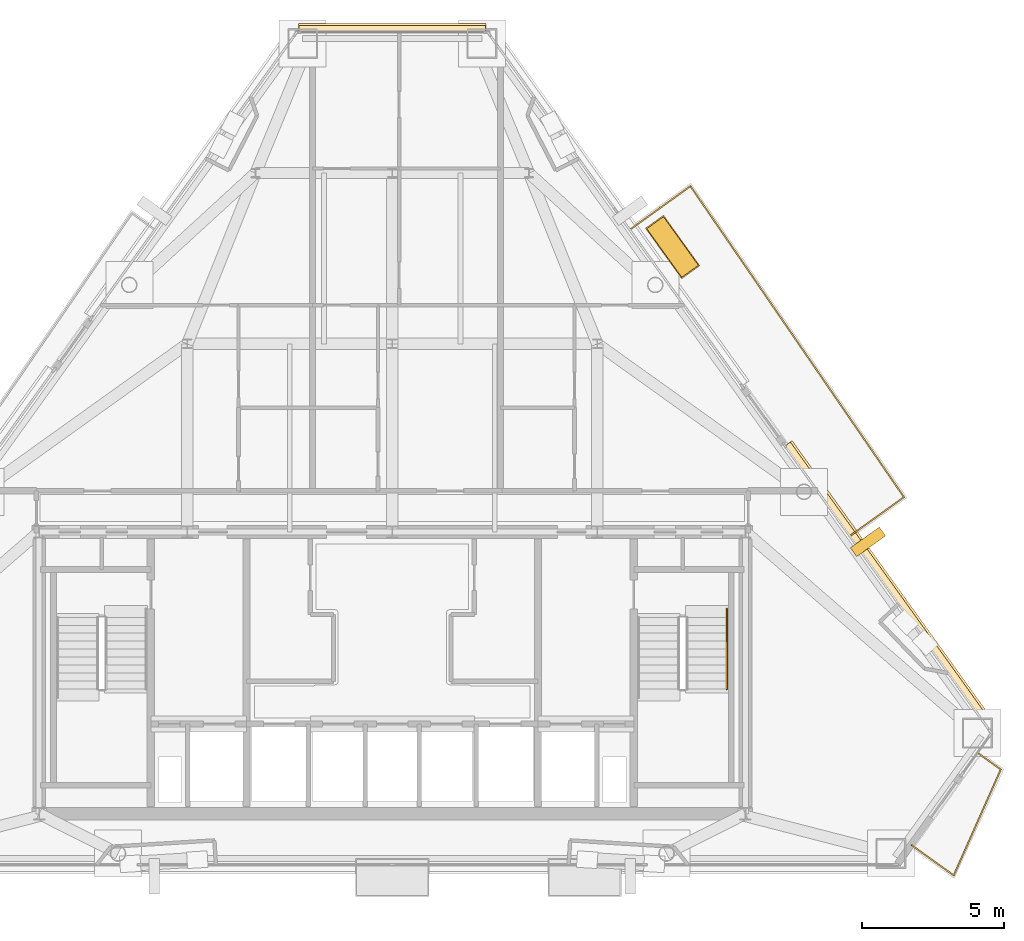
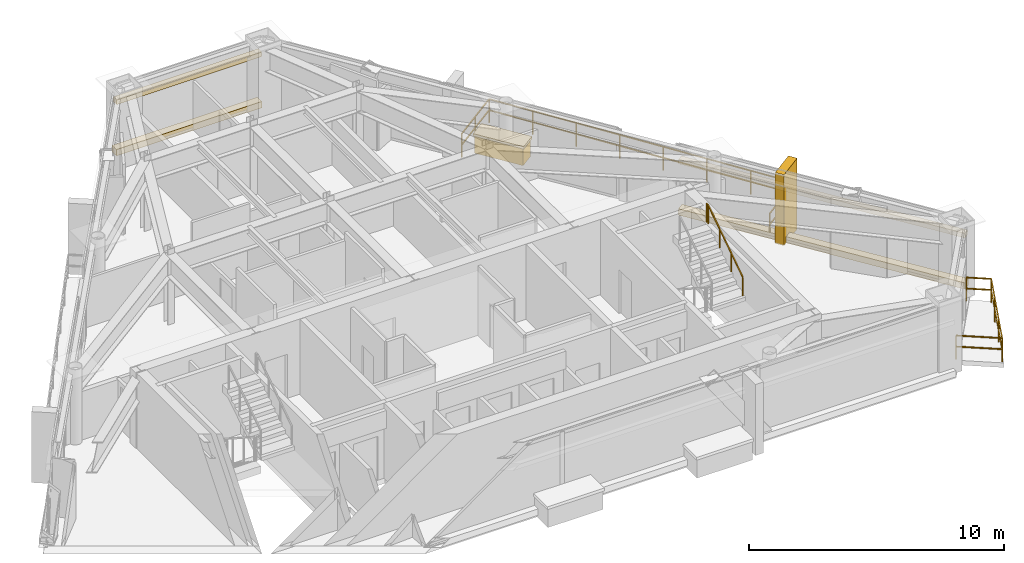
# One storey, part 11 of 11: 7 coverings, 3 railings.
"""IFC4 building model written with IfcOpenShell, lengths in metres."""

from ifc_helpers import new_model, si_unit, direction, frame, origin, origin_2d, place, context, subcontext, project, spatial, rectangle, extrude, material, layer, layer_set, type_object, element, save


model = new_model("IFC4")

# Units and contexts
model_context = context("Model", 3, precision=1e-05, world=origin(), true_north=direction((0.0, 1.0)))
body_context = subcontext(model_context, "Body", "Model", "MODEL_VIEW")
ifc_project = project(units=[si_unit("LENGTHUNIT", "METRE"), si_unit("AREAUNIT", "SQUARE_METRE"), si_unit("VOLUMEUNIT", "CUBIC_METRE"), si_unit("PLANEANGLEUNIT", "RADIAN"), si_unit("MASSUNIT", "GRAM", prefix="KILO")], contexts=[model_context])

# Site, building, storey
site_placement = place(None, origin())
site = spatial("IfcSite", under=ifc_project, at=site_placement, CompositionType="ELEMENT")
building_placement = place(site_placement, origin())
building = spatial("IfcBuilding", under=site, at=building_placement, Name="Talgorran Terracotta Tower", CompositionType="ELEMENT")
storey_placement = place(building_placement, frame((0.0, 0.0, 214.5)))
storey = spatial("IfcBuildingStorey", under=building, at=storey_placement, Name="L56", CompositionType="ELEMENT", Elevation=214.5)

# Coverings
ifc_material_1 = material(Name="Kiln-Fired Terracotta Ochre Ceramic", Category="masonry")
ifc_layer_1 = layer(ifc_material_1, 0.179931640625, Name="COV_BAGUETTE_TERRACOTTA_SCREEN")
ifc_layer_set_1 = layer_set([ifc_layer_1], Name="Kiln-Fired Terracotta Ochre Ceramic")
covering_type_1 = type_object("IfcCoveringType", Name="COV_BAGUETTE_TERRACOTTA_SCREEN", PredefinedType="CLADDING", material=ifc_layer_set_1)
covering_1_placement = place(storey_placement, frame((17.466552734375, -6.1240234375, 2.41015625), z_axis=(0.0, 0.0, 1.0), x_axis=(-0.583555384799, 0.812073342053, 0.0)))
element("IfcCovering", 1, at=covering_1_placement, inside=storey, type_object=covering_type_1, Name="L56 Terracotta Baguette Solar Screen Assembly F40", PredefinedType="CLADDING", context=body_context, shape_type="SweptSolid", body=[
    extrude(rectangle(XDim=12.30859375, YDim=0.260009765625, at=origin_2d()), origin(), (0.0, 0.0, 1.0), 0.219970703125),
])
covering_2_placement = place(storey_placement, frame((0.0, 13.44970703125, 2.41015625), z_axis=(0.0, 0.0, 1.0), x_axis=(-1.0, 0.0, 0.0)))
element("IfcCovering", 2, at=covering_2_placement, inside=storey, type_object=covering_type_1, Name="L56 Terracotta Baguette Solar Screen Assembly F4", PredefinedType="CLADDING", context=body_context, shape_type="SweptSolid", body=[
    extrude(rectangle(XDim=6.5595703125, YDim=0.260009765625, at=origin_2d()), origin(), (0.0, 0.0, 1.0), 0.219970703125),
])
ifc_material_2 = material(Name="Honed Limestone and Terracotta Planter", Category="masonry")
ifc_layer_2 = layer(ifc_material_2, 0.1201171875, Name="COV_PLANTER_BOX")
ifc_layer_set_2 = layer_set([ifc_layer_2], Name="Honed Limestone and Terracotta Planter")
covering_type_2 = type_object("IfcCoveringType", Name="COV_PLANTER_BOX", PredefinedType="CLADDING", material=ifc_layer_set_2)
covering_3_placement = place(storey_placement, frame((9.84423828125, 5.802734375, -0.02001953125), z_axis=(0.0, 0.0, 1.0), x_axis=(-0.583555384799, 0.812073342053, 0.0)))
element("IfcCovering", 3, at=covering_3_placement, inside=storey, type_object=covering_type_2, Name="L56 Staggered Balcony Planter Box BAL-NE", PredefinedType="CLADDING", context=body_context, shape_type="SweptSolid", body=[
    extrude(rectangle(XDim=2.10009765625, YDim=0.719970703125, at=origin_2d()), origin(), (0.0, 0.0, 1.0), 0.860107421875),
])
ifc_material_3 = material(Name="Kiln-Fired Terracotta Planter Rim", Category="masonry")
ifc_layer_3 = layer(ifc_material_3, 0.10009765625, Name="COV_PLANTER_RIM")
ifc_layer_set_3 = layer_set([ifc_layer_3], Name="Kiln-Fired Terracotta Planter Rim")
covering_type_3 = type_object("IfcCoveringType", Name="COV_PLANTER_RIM", PredefinedType="CLADDING", material=ifc_layer_set_3)
covering_4_placement = place(storey_placement, frame((9.84423828125, 5.802734375, 0.800048828125), z_axis=(0.0, 0.0, 1.0), x_axis=(-0.583555384799, 0.812073342053, 0.0)))
element("IfcCovering", 4, at=covering_4_placement, inside=storey, type_object=covering_type_3, Name="L56 Balcony Planter Terracotta Rim BAL-NE", PredefinedType="CLADDING", context=body_context, shape_type="SweptSolid", body=[
    extrude(rectangle(XDim=2.179931640625, YDim=0.780029296875, at=origin_2d()), origin(), (0.0, 0.0, 1.0), 0.1201171875),
])
ifc_material_4 = material(Name="Honed Limestone Cladding", Category="masonry")
ifc_layer_4 = layer(ifc_material_4, 0.094970703125, Name="COV_PORTAL_LIME")
ifc_layer_set_4 = layer_set([ifc_layer_4], Name="Honed Limestone Cladding")
covering_type_4 = type_object("IfcCoveringType", Name="COV_PORTAL_LIME", PredefinedType="CLADDING", material=ifc_layer_set_4)
covering_5_placement = place(storey_placement, frame((17.4990234375, -6.100830078125, -0.0400390625), z_axis=(0.0, 0.0, 1.0), x_axis=(-0.583555384799, 0.812073342053, 0.0)))
element("IfcCovering", 5, at=covering_5_placement, inside=storey, type_object=covering_type_4, Name="L56 Striped Postmodern Portal Cladding Band F40", PredefinedType="CLADDING", context=body_context, shape_type="SweptSolid", body=[
    extrude(rectangle(XDim=12.32861328125, YDim=0.340087890625, at=origin_2d()), origin(), (0.0, 0.0, 1.0), 0.300048828125),
])
covering_6_placement = place(storey_placement, frame((0.0, 13.489501953125, -0.0400390625), z_axis=(0.0, 0.0, 1.0), x_axis=(-1.0, 0.0, 0.0)))
element("IfcCovering", 6, at=covering_6_placement, inside=storey, type_object=covering_type_4, Name="L56 Striped Postmodern Portal Cladding Band F4", PredefinedType="CLADDING", context=body_context, shape_type="SweptSolid", body=[
    extrude(rectangle(XDim=6.57958984375, YDim=0.340087890625, at=origin_2d()), origin(), (0.0, 0.0, 1.0), 0.300048828125),
])
ifc_material_5 = material(Name="Kiln-Fired Terracotta Cladding", Category="masonry")
ifc_layer_5 = layer(ifc_material_5, 0.090087890625, Name="COV_PORTAL_TERRA")
ifc_layer_set_5 = layer_set([ifc_layer_5], Name="Kiln-Fired Terracotta Cladding")
covering_type_5 = type_object("IfcCoveringType", Name="COV_PORTAL_TERRA", PredefinedType="CLADDING", material=ifc_layer_set_5)
covering_7_placement = place(storey_placement, frame((16.705078125, -4.55029296875, -0.050048828125), z_axis=(0.0, 0.0, 1.0), x_axis=(-0.583555384799, 0.812073342053, 0.0)))
element("IfcCovering", 7, at=covering_7_placement, inside=storey, type_object=covering_type_5, Name="L56 Terracotta Striped Portal Fin F3-1", PredefinedType="CLADDING", context=body_context, shape_type="SweptSolid", body=[
    extrude(rectangle(XDim=0.3798828125, YDim=1.25, at=origin_2d()), origin(), (0.0, 0.0, 1.0), 3.39501953125),
])

# Railings
ifc_material_6 = material(Name="Laminated Glass and Stainless Steel 316", Category="steel")
railing_type_1 = type_object("IfcRailingType", Name="RL_BALCONY_1150", PredefinedType="BALUSTRADE", material=ifc_material_6)
railing_1_placement = place(storey_placement, frame((16.0830078125, -4.3359375, 0.0)))
element("IfcRailing", 8, at=railing_1_placement, inside=storey, type_object=railing_type_1, Name="RL-L56-BAL-BAL-NE", PredefinedType="BALUSTRADE", context=body_context, shape_type="SweptSolid", body=[
    extrude(rectangle(XDim=0.048095703125, YDim=0.048095703125, at=origin_2d()), frame((0.0, 0.0, 1.1259765625), z_axis=(0.812082312273, 0.583542901673, 0.0), x_axis=(-0.583542901673, 0.812082312273, 0.0)), (0.0, 0.0, 1.0), 2.322509765625),
    extrude(rectangle(XDim=0.048095703125, YDim=0.048095703125, at=origin_2d()), frame((0.0, 0.0, 0.597900390625), z_axis=(0.812082312273, 0.583542901673, 0.0), x_axis=(-0.583542901673, 0.812082312273, 0.0)), (0.0, 0.0, 1.0), 2.322509765625),
    extrude(rectangle(XDim=0.048095703125, YDim=0.048095703125, at=origin_2d()), frame((1.885986328125, 1.355224609375, 1.1259765625), z_axis=(-0.56606725907, 0.824359059033, 0.0), x_axis=(-0.824359059033, -0.56606725907, 0.0)), (0.0, 0.0, 1.0), 13.2470703125),
    extrude(rectangle(XDim=0.048095703125, YDim=0.048095703125, at=origin_2d()), frame((1.885986328125, 1.355224609375, 0.597900390625), z_axis=(-0.56606725907, 0.824359059033, 0.0), x_axis=(-0.824359059033, -0.56606725907, 0.0)), (0.0, 0.0, 1.0), 13.2470703125),
    extrude(rectangle(XDim=0.048095703125, YDim=0.048095703125, at=origin_2d()), frame((-5.61279296875, 12.275634765625, 1.1259765625), z_axis=(-0.812045901226, -0.583593569448, 0.0), x_axis=(0.583593569448, -0.812045901226, 0.0)), (0.0, 0.0, 1.0), 2.60546875),
    extrude(rectangle(XDim=0.048095703125, YDim=0.048095703125, at=origin_2d()), frame((-5.61279296875, 12.275634765625, 0.597900390625), z_axis=(-0.812045901226, -0.583593569448, 0.0), x_axis=(0.583593569448, -0.812045901226, 0.0)), (0.0, 0.0, 1.0), 2.60546875),
    extrude(rectangle(XDim=0.0419921875, YDim=0.0419921875, at=origin_2d()), origin(), (0.0, 0.0, 1.0), 1.101806640625),
    extrude(rectangle(XDim=0.0419921875, YDim=0.0419921875, at=origin_2d()), frame((0.94287109375, 0.677734375, 0.0)), (0.0, 0.0, 1.0), 1.101806640625),
    extrude(rectangle(XDim=0.0419921875, YDim=0.0419921875, at=origin_2d()), frame((1.885986328125, 1.355224609375, 0.0)), (0.0, 0.0, 1.0), 1.101806640625),
    extrude(rectangle(XDim=0.0419921875, YDim=0.0419921875, at=origin_2d()), frame((0.814697265625, 2.915283203125, 0.0)), (0.0, 0.0, 1.0), 1.101806640625),
    extrude(rectangle(XDim=0.0419921875, YDim=0.0419921875, at=origin_2d()), frame((-0.256591796875, 4.475341796875, 0.0)), (0.0, 0.0, 1.0), 1.101806640625),
    extrude(rectangle(XDim=0.0419921875, YDim=0.0419921875, at=origin_2d()), frame((-1.327880859375, 6.035400390625, 0.0)), (0.0, 0.0, 1.0), 1.101806640625),
    extrude(rectangle(XDim=0.0419921875, YDim=0.0419921875, at=origin_2d()), frame((-2.39892578125, 7.595458984375, 0.0)), (0.0, 0.0, 1.0), 1.101806640625),
    extrude(rectangle(XDim=0.0419921875, YDim=0.0419921875, at=origin_2d()), frame((-3.47021484375, 9.155517578125, 0.0)), (0.0, 0.0, 1.0), 1.101806640625),
    extrude(rectangle(XDim=0.0419921875, YDim=0.0419921875, at=origin_2d()), frame((-4.54150390625, 10.715576171875, 0.0)), (0.0, 0.0, 1.0), 1.101806640625),
    extrude(rectangle(XDim=0.0419921875, YDim=0.0419921875, at=origin_2d()), frame((-5.61279296875, 12.275634765625, 0.0)), (0.0, 0.0, 1.0), 1.101806640625),
    extrude(rectangle(XDim=0.0419921875, YDim=0.0419921875, at=origin_2d()), frame((-6.670654296875, 11.515380859375, 0.0)), (0.0, 0.0, 1.0), 1.101806640625),
    extrude(rectangle(XDim=0.0419921875, YDim=0.0419921875, at=origin_2d()), frame((-7.728515625, 10.755126953125, 0.0)), (0.0, 0.0, 1.0), 1.101806640625),
])
railing_2_placement = place(storey_placement, frame((18.239013671875, -15.203125, 0.0)))
element("IfcRailing", 9, at=railing_2_placement, inside=storey, type_object=railing_type_1, Name="RL-L56-BAL-BAL-SE", PredefinedType="BALUSTRADE", context=body_context, shape_type="SweptSolid", body=[
    extrude(rectangle(XDim=0.048095703125, YDim=0.048095703125, at=origin_2d()), frame((0.0, 0.0, 1.1259765625), z_axis=(0.812033270125, -0.583611144694, 0.0), x_axis=(0.583611144694, 0.812033270125, 0.0)), (0.0, 0.0, 1.0), 1.818115234375),
    extrude(rectangle(XDim=0.048095703125, YDim=0.048095703125, at=origin_2d()), frame((0.0, 0.0, 0.597900390625), z_axis=(0.812033270125, -0.583611144694, 0.0), x_axis=(0.583611144694, 0.812033270125, 0.0)), (0.0, 0.0, 1.0), 1.818115234375),
    extrude(rectangle(XDim=0.048095703125, YDim=0.048095703125, at=origin_2d()), frame((1.476318359375, -1.06103515625, 1.1259765625), z_axis=(0.406527974199, 0.91363833446, 0.0), x_axis=(-0.91363833446, 0.406527974199, 0.0)), (0.0, 0.0, 1.0), 4.070556640625),
    extrude(rectangle(XDim=0.048095703125, YDim=0.048095703125, at=origin_2d()), frame((1.476318359375, -1.06103515625, 0.597900390625), z_axis=(0.406527974199, 0.91363833446, 0.0), x_axis=(-0.91363833446, 0.406527974199, 0.0)), (0.0, 0.0, 1.0), 4.070556640625),
    extrude(rectangle(XDim=0.048095703125, YDim=0.048095703125, at=origin_2d()), frame((3.131103515625, 2.657958984375, 1.1259765625), z_axis=(-0.812150249721, 0.58344834551, 0.0), x_axis=(-0.58344834551, -0.812150249721, 0.0)), (0.0, 0.0, 1.0), 0.99169921875),
    extrude(rectangle(XDim=0.048095703125, YDim=0.048095703125, at=origin_2d()), frame((3.131103515625, 2.657958984375, 0.597900390625), z_axis=(-0.812150249721, 0.58344834551, 0.0), x_axis=(-0.58344834551, -0.812150249721, 0.0)), (0.0, 0.0, 1.0), 0.99169921875),
    extrude(rectangle(XDim=0.0419921875, YDim=0.0419921875, at=origin_2d()), origin(), (0.0, 0.0, 1.0), 1.101806640625),
    extrude(rectangle(XDim=0.0419921875, YDim=0.0419921875, at=origin_2d()), frame((1.476318359375, -1.06103515625, 0.0)), (0.0, 0.0, 1.0), 1.101806640625),
    extrude(rectangle(XDim=0.0419921875, YDim=0.0419921875, at=origin_2d()), frame((2.02783203125, 0.1787109375, 0.0)), (0.0, 0.0, 1.0), 1.101806640625),
    extrude(rectangle(XDim=0.0419921875, YDim=0.0419921875, at=origin_2d()), frame((2.57958984375, 1.418212890625, 0.0)), (0.0, 0.0, 1.0), 1.101806640625),
    extrude(rectangle(XDim=0.0419921875, YDim=0.0419921875, at=origin_2d()), frame((3.131103515625, 2.657958984375, 0.0)), (0.0, 0.0, 1.0), 1.101806640625),
    extrude(rectangle(XDim=0.0419921875, YDim=0.0419921875, at=origin_2d()), frame((2.32568359375, 3.236572265625, 0.0)), (0.0, 0.0, 1.0), 1.101806640625),
])
ifc_material_7 = material(Name="Steel S355 (300PLUS)", Category="steel")
railing_type_2 = type_object("IfcRailingType", Name="RL_HANDRAIL_920", PredefinedType="HANDRAIL", material=ifc_material_7)
railing_3_placement = place(storey_placement, frame((11.75, -9.719970703125, 1.97998046875)))
element("IfcRailing", 10, at=railing_3_placement, inside=storey, type_object=railing_type_2, Name="L56 ST-02 stair handrail 2", PredefinedType="HANDRAIL", context=body_context, shape_type="SweptSolid", body=[
    extrude(rectangle(XDim=0.048095703125, YDim=0.048095703125, at=origin_2d()), frame((0.0, 0.0, 0.89599609375), z_axis=(0.0, 0.832038719335, 0.554717558338), x_axis=(-1.0, 0.0, 0.0)), (0.0, 0.0, 1.0), 3.244873046875),
    extrude(rectangle(XDim=0.048095703125, YDim=0.048095703125, at=origin_2d()), frame((0.0, 2.699951171875, 2.69580078125), z_axis=(0.0, 1.0, 0.0), x_axis=(-1.0, 0.0, 0.0)), (0.0, 0.0, 1.0), 0.1201171875),
    extrude(rectangle(XDim=0.0419921875, YDim=0.0419921875, at=origin_2d()), origin(), (0.0, 0.0, 1.0), 0.871826171875),
    extrude(rectangle(XDim=0.0419921875, YDim=0.0419921875, at=origin_2d()), frame((0.0, 0.89990234375, 0.60009765625)), (0.0, 0.0, 1.0), 0.871826171875),
    extrude(rectangle(XDim=0.0419921875, YDim=0.0419921875, at=origin_2d()), frame((0.0, 1.800048828125, 1.199951171875)), (0.0, 0.0, 1.0), 0.871826171875),
    extrude(rectangle(XDim=0.0419921875, YDim=0.0419921875, at=origin_2d()), frame((0.0, 2.699951171875, 1.800048828125)), (0.0, 0.0, 1.0), 0.871826171875),
    extrude(rectangle(XDim=0.0419921875, YDim=0.0419921875, at=origin_2d()), frame((0.0, 2.820068359375, 1.800048828125)), (0.0, 0.0, 1.0), 0.871826171875),
])

save(model, "model.ifc")
